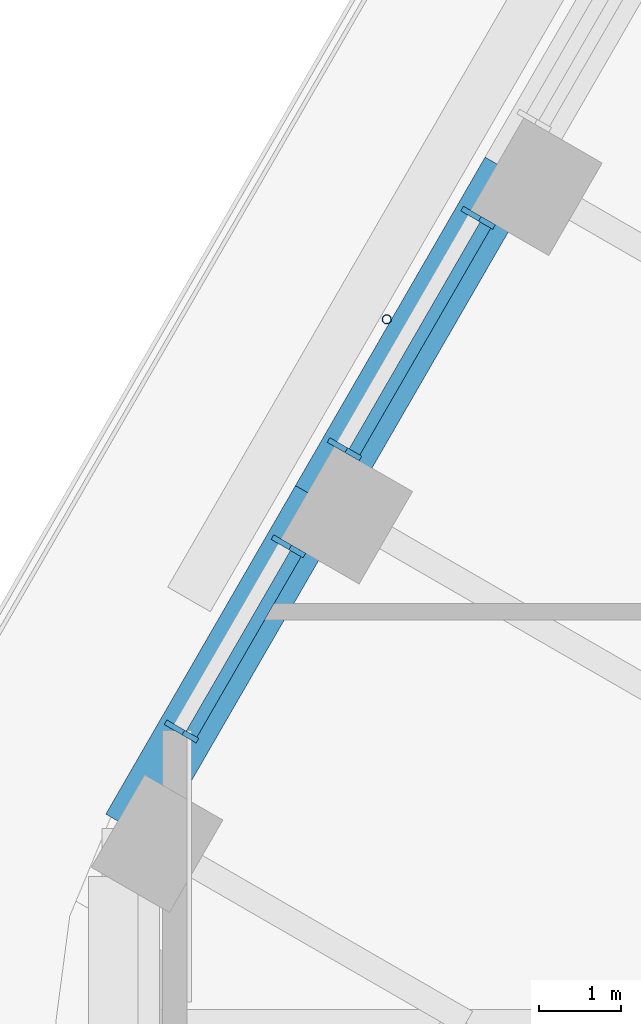
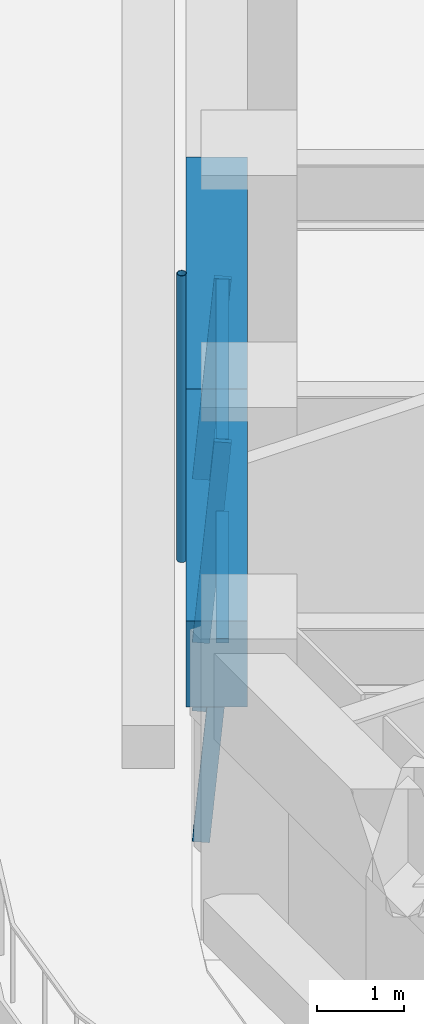
# One storey, part 6 of 20: 7 members, 2 beams, 2 elements without a shape of their own.
"""IFC4 building model written with IfcOpenShell, lengths in metres."""

from ifc_helpers import new_model, si_unit, direction, frame, origin, origin_2d, place, context, subcontext, project, spatial, rectangle, hollow_circle, extrude, material, material_profile, profile_set, type_object, element, aggregate, save


model = new_model("IFC4")

# Units and contexts
model_context = context("Model", 3, precision=1e-05, world=origin(), true_north=direction((0.0, 1.0)))
body_context = subcontext(model_context, "Body", "Model", "MODEL_VIEW")
ifc_project = project(units=[si_unit("LENGTHUNIT", "METRE"), si_unit("AREAUNIT", "SQUARE_METRE"), si_unit("VOLUMEUNIT", "CUBIC_METRE"), si_unit("PLANEANGLEUNIT", "RADIAN"), si_unit("MASSUNIT", "GRAM", prefix="KILO")], contexts=[model_context])

# Site, building, storey
site_placement = place(None, origin())
site = spatial("IfcSite", under=ifc_project, at=site_placement, CompositionType="ELEMENT")
building_placement = place(site_placement, origin())
building = spatial("IfcBuilding", under=site, at=building_placement, Name="Tarfa Lantern Tower", CompositionType="ELEMENT")
storey_placement = place(building_placement, frame((0.0, 0.0, 240.699951171875)))
storey = spatial("IfcBuildingStorey", under=building, at=storey_placement, Name="L54", CompositionType="ELEMENT", Elevation=240.699951171875)

# Curtain wall, members
ifc_material_1 = material(Name="Aluminium framed curtain wall", Category="aluminium")
curtain_wall_type = type_object("IfcCurtainWallType", Name="CW3 CANTED GLAZING HIGH ZONE 2800", PredefinedType="USERDEFINED", material=ifc_material_1)
curtain_wall_1_placement = place(storey_placement, origin())
curtain_wall_1 = element("IfcCurtainWall", 1, at=curtain_wall_1_placement, inside=storey, type_object=curtain_wall_type, Name="CW3 NW L54", ObjectType="CURTAIN WALL", PredefinedType="USERDEFINED")
ifc_material_2 = material(Name="Aluminium mullion", Category="aluminium")
ifc_material_profile_1 = material_profile(ifc_material_2, rectangle(XDim=0.06494140625, YDim=0.199951171875, at=origin_2d()), Name="AL MULLION 65x200")
ifc_profile_set_1 = profile_set([ifc_material_profile_1], Name="Aluminium mullion")
member_type_1 = type_object("IfcMemberType", Name="CWM1 MULLION 65x200", PredefinedType="MULLION", material=ifc_profile_set_1)
member_1_placement = place(storey_placement, frame((-27.6787109375, 9.85888671875, 0.0), z_axis=(0.077032386753, -0.044465143199, 0.996036576854), x_axis=(0.499919672301, 0.866071776036, 0.0)))
member_1 = element("IfcMember", 2, at=member_1_placement, type_object=member_type_1, Name="CW3 mullion 1", PredefinedType="MULLION", context=body_context, shape_type="SweptSolid", body=[
    extrude(rectangle(XDim=0.06494140625, YDim=0.199951171875, at=origin_2d()), origin(), (0.0, 0.0, 1.0), 2.811279296875),
])
member_2_placement = place(storey_placement, frame((-29.3056640625, 7.041015625, 0.0), z_axis=(0.077032386753, -0.044465143199, 0.996036576854), x_axis=(0.499919672301, 0.866071776036, 0.0)))
member_2 = element("IfcMember", 3, at=member_2_placement, type_object=member_type_1, Name="CW3 mullion 2", PredefinedType="MULLION", context=body_context, shape_type="SweptSolid", body=[
    extrude(rectangle(XDim=0.06494140625, YDim=0.199951171875, at=origin_2d()), origin(), (0.0, 0.0, 1.0), 2.811279296875),
])

curtain_wall_2_placement = place(storey_placement, origin())
curtain_wall_2 = element("IfcCurtainWall", 4, at=curtain_wall_2_placement, inside=storey, type_object=curtain_wall_type, Name="CW3 NW L54", ObjectType="CURTAIN WALL", PredefinedType="USERDEFINED")
member_3_placement = place(storey_placement, frame((-29.98828125, 5.85888671875, 0.0), z_axis=(0.077032386753, -0.044465143199, 0.996036576854), x_axis=(0.499919672301, 0.866071776036, 0.0)))
member_3 = element("IfcMember", 5, at=member_3_placement, type_object=member_type_1, Name="CW3 mullion 1", PredefinedType="MULLION", context=body_context, shape_type="SweptSolid", body=[
    extrude(rectangle(XDim=0.06494140625, YDim=0.199951171875, at=origin_2d()), origin(), (0.0, 0.0, 1.0), 2.811279296875),
])
member_4_placement = place(storey_placement, frame((-31.2900390625, 3.60400390625, 0.0), z_axis=(0.077032386753, -0.044465143199, 0.996036576854), x_axis=(0.499919672301, 0.866071776036, 0.0)))
member_4 = element("IfcMember", 6, at=member_4_placement, type_object=member_type_1, Name="CW3 mullion 2", PredefinedType="MULLION", context=body_context, shape_type="SweptSolid", body=[
    extrude(rectangle(XDim=0.06494140625, YDim=0.199951171875, at=origin_2d()), origin(), (0.0, 0.0, 1.0), 2.811279296875),
])

# Member
ifc_material_3 = material(Name="Aluminium transom", Category="aluminium")
ifc_material_profile_2 = material_profile(ifc_material_3, rectangle(XDim=0.14990234375, YDim=0.06494140625, at=origin_2d()), Name="AL TRANSOM 150x65")
ifc_profile_set_2 = profile_set([ifc_material_profile_2], Name="Aluminium transom")
member_type_2 = type_object("IfcMemberType", Name="CWT1 TRANSOM 150x65", PredefinedType="USERDEFINED", material=ifc_profile_set_2)
member_5_placement = place(storey_placement, frame((-27.48095703125, 9.707275390625, 2.767578125), z_axis=(-0.500000789788, -0.8660249478, 0.0), x_axis=(0.8660249478, -0.500000789788, 0.0)))
member_5 = element("IfcMember", 7, at=member_5_placement, type_object=member_type_2, Name="CW3 transom 1.2", ObjectType="TRANSOM", PredefinedType="USERDEFINED", context=body_context, shape_type="SweptSolid", body=[
    extrude(rectangle(XDim=0.14990234375, YDim=0.06494140625, at=origin_2d()), origin(), (0.0, 0.0, 1.0), 3.18896484375),
])

aggregate(curtain_wall_1, [member_1, member_2, member_5])

member_6_placement = place(storey_placement, frame((-29.79052734375, 5.707275390625, 2.767578125), z_axis=(-0.499955533855, -0.866051074803, 0.0), x_axis=(0.866051074803, -0.499955533855, 0.0)))
member_6 = element("IfcMember", 8, at=member_6_placement, type_object=member_type_2, Name="CW3 transom 1.2", ObjectType="TRANSOM", PredefinedType="USERDEFINED", context=body_context, shape_type="SweptSolid", body=[
    extrude(rectangle(XDim=0.14990234375, YDim=0.06494140625, at=origin_2d()), origin(), (0.0, 0.0, 1.0), 2.538818359375),
])

aggregate(curtain_wall_2, [member_3, member_4, member_6])

# Beams
ifc_material_4 = material(Name="Concrete C80/95", Category="concrete")
ifc_material_profile_3 = material_profile(ifc_material_4, rectangle(XDim=0.699951171875, YDim=1.199951171875, at=origin_2d()), Name="RC 700x1200")
ifc_profile_set_3 = profile_set([ifc_material_profile_3], Name="Concrete C80/95")
beam_type = type_object("IfcBeamType", Name="EB3 RC 700x1200", PredefinedType="SPANDREL", material=ifc_profile_set_3)
beam_1_placement = place(storey_placement, frame((-27.181640625, 10.360107421875, 3.400146484375), z_axis=(-0.499987836815, -0.866032426089, 0.0), x_axis=(0.866032426089, -0.499987836815, 0.0)))
element("IfcBeam", 9, at=beam_1_placement, inside=storey, type_object=beam_type, Name="Edge beam NW4", PredefinedType="SPANDREL", context=body_context, shape_type="SweptSolid", body=[
    extrude(rectangle(XDim=0.699951171875, YDim=1.199951171875, at=origin_2d()), origin(), (0.0, 0.0, 1.0), 4.61865234375),
])
beam_2_placement = place(storey_placement, frame((-29.490966796875, 6.360107421875, 3.400146484375), z_axis=(-0.500027479704, -0.866009537788, 0.0), x_axis=(0.866009537788, -0.500027479704, 0.0)))
element("IfcBeam", 10, at=beam_2_placement, inside=storey, type_object=beam_type, Name="Edge beam NW5", PredefinedType="SPANDREL", context=body_context, shape_type="SweptSolid", body=[
    extrude(rectangle(XDim=0.699951171875, YDim=1.199951171875, at=origin_2d()), origin(), (0.0, 0.0, 1.0), 4.618896484375),
])

# Member
ifc_material_5 = material(Name="Steel S355", Category="steel")
ifc_material_profile_4 = material_profile(ifc_material_5, hollow_circle(Radius=0.05712890625, WallThickness=0.00634765625, at=origin_2d()), Name="CHS114.3x6.3")
ifc_profile_set_4 = profile_set([ifc_material_profile_4], Name="Steel S355")
member_type_3 = type_object("IfcMemberType", Name="TR1 GREEN WALL TRELLIS CHS114.3x6.3", PredefinedType="USERDEFINED", material=ifc_profile_set_4)
member_7_placement = place(storey_placement, frame((-28.682861328125, 8.56005859375, 0.0), z_axis=(0.0, 0.0, 1.0), x_axis=(1.0, 0.0, 0.0)))
element("IfcMember", 11, at=member_7_placement, inside=storey, type_object=member_type_3, Name="Trellis post NW 2", ObjectType="TRELLIS", PredefinedType="USERDEFINED", context=body_context, shape_type="SweptSolid", body=[
    extrude(hollow_circle(Radius=0.05712890625, WallThickness=0.00634765625, at=origin_2d()), origin(), (0.0, 0.0, 1.0), 4.0),
])

save(model, "model.ifc")
